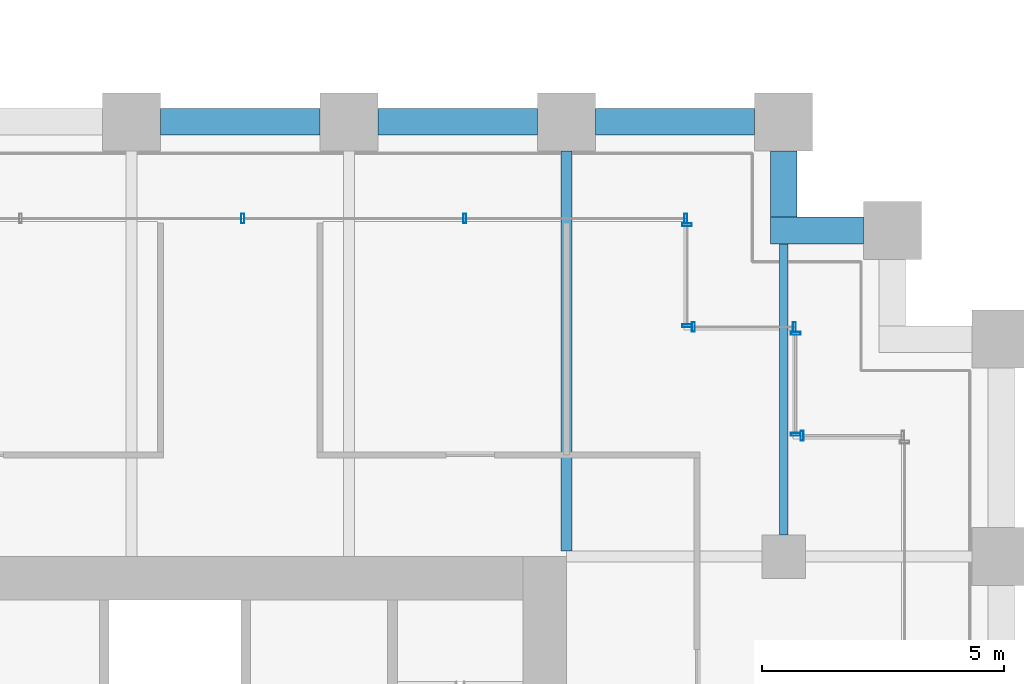
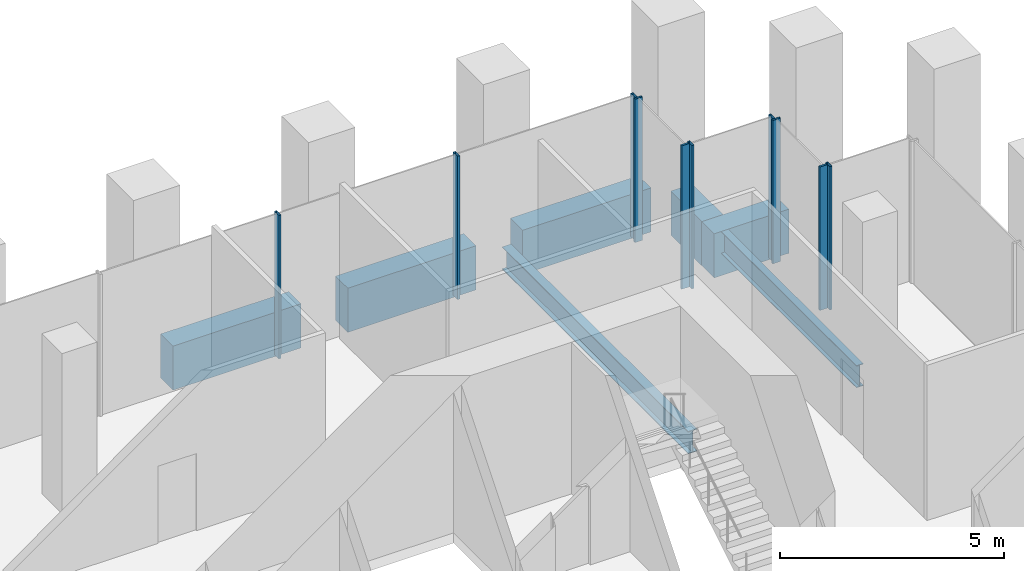
# One storey, part 25 of 36: 10 members, 7 beams, 5 elements without a shape of their own.
"""IFC4 building model written with IfcOpenShell, lengths in metres."""

from ifc_helpers import new_model, si_unit, direction, frame, origin, origin_2d, place, context, subcontext, project, spatial, rectangle, hollow_rectangle, i_section, extrude, material, material_profile, profile_set, type_object, element, aggregate, save


model = new_model("IFC4")

# Units and contexts
model_context = context("Model", 3, precision=1e-05, world=origin(), true_north=direction((0.0, 1.0)))
body_context = subcontext(model_context, "Body", "Model", "MODEL_VIEW")
ifc_project = project(units=[si_unit("LENGTHUNIT", "METRE"), si_unit("AREAUNIT", "SQUARE_METRE"), si_unit("VOLUMEUNIT", "CUBIC_METRE"), si_unit("PLANEANGLEUNIT", "RADIAN"), si_unit("MASSUNIT", "GRAM", prefix="KILO")], contexts=[model_context])

# Site, building, storey
site_placement = place(None, origin())
site = spatial("IfcSite", under=ifc_project, at=site_placement, CompositionType="ELEMENT")
building_placement = place(site_placement, origin())
building = spatial("IfcBuilding", under=site, at=building_placement, Name="Altepetl Exchange Towers", CompositionType="ELEMENT")
storey_placement = place(building_placement, frame((0.0, 0.0, 38.60009765625)))
storey = spatial("IfcBuildingStorey", under=building, at=storey_placement, Name="L08", CompositionType="ELEMENT", Elevation=38.60009765625)

# Beams
ifc_material_1 = material(Name="Steel S355", Category="steel")
ifc_material_profile_1 = material_profile(ifc_material_1, i_section(OverallWidth=0.178955078125, OverallDepth=0.60302734375, WebThickness=0.010986328125, FlangeThickness=0.014892578125, at=origin_2d()), Name="W24X62")
ifc_profile_set_1 = profile_set([ifc_material_profile_1], Name="Steel S355")
beam_type_1 = type_object("IfcBeamType", Name="Floor beam W24X62", PredefinedType="BEAM", material=ifc_profile_set_1)
beam_1_placement = place(storey_placement, frame((121.5, 49.949951171875, -0.4765625), z_axis=(0.0, 1.0, 0.0), x_axis=(-1.0, 0.0, 0.0)))
element("IfcBeam", 1, at=beam_1_placement, inside=storey, type_object=beam_type_1, Name="bm:B:L08:003", PredefinedType="BEAM", context=body_context, shape_type="SweptSolid", body=[
    extrude(i_section(OverallWidth=0.178955078125, OverallDepth=0.60302734375, WebThickness=0.010986328125, FlangeThickness=0.014892578125, at=origin_2d()), origin(), (0.0, 0.0, 1.0), 6.025146484375),
])
ifc_material_profile_2 = material_profile(ifc_material_1, i_section(OverallWidth=0.22900390625, OverallDepth=0.612060546875, WebThickness=0.011962890625, FlangeThickness=0.01953125, at=origin_2d()), Name="W24X84")
ifc_profile_set_2 = profile_set([ifc_material_profile_2], Name="Steel S355")
beam_type_2 = type_object("IfcBeamType", Name="Floor beam W24X84", PredefinedType="BEAM", material=ifc_profile_set_2)
beam_2_placement = place(storey_placement, frame((117.0, 49.614013671875, -0.481201171875), z_axis=(0.0, 1.0, 0.0), x_axis=(-1.0, 0.0, 0.0)))
element("IfcBeam", 2, at=beam_2_placement, inside=storey, type_object=beam_type_2, Name="bm:B:L08:002", PredefinedType="BEAM", context=body_context, shape_type="SweptSolid", body=[
    extrude(i_section(OverallWidth=0.22900390625, OverallDepth=0.612060546875, WebThickness=0.011962890625, FlangeThickness=0.01953125, at=origin_2d()), origin(), (0.0, 0.0, 1.0), 8.285888671875),
])

# Curtain wall, member
ifc_material_2 = material(Name="Aluminium 6063-T6 glazing", Category="aluminium")
curtain_wall_type = type_object("IfcCurtainWallType", Name="Trading floor glazing system", PredefinedType="NOTDEFINED", material=ifc_material_2)
curtain_wall_1_placement = place(storey_placement, origin())
curtain_wall_1 = element("IfcCurtainWall", 3, at=curtain_wall_1_placement, inside=storey, type_object=curtain_wall_type, Name="CW2 run", PredefinedType="NOTDEFINED")
ifc_material_3 = material(Name="Aluminium 6063-T6", Category="aluminium")
ifc_material_profile_3 = material_profile(ifc_material_3, hollow_rectangle(XDim=0.06005859375, YDim=0.199951171875, WallThickness=0.0029296875, at=origin_2d()), Name="Mullion 60x200 aluminium")
ifc_profile_set_3 = profile_set([ifc_material_profile_3], Name="Aluminium 6063-T6")
member_type = type_object("IfcMemberType", Name="Mullion 60x200 aluminium", PredefinedType="MULLION", material=ifc_profile_set_3)
member_1_placement = place(storey_placement, frame((121.8798828125, 52.0, 0.0), z_axis=(0.0, 0.0, 1.0), x_axis=(-1.0, 0.0, 0.0)))
member_1 = element("IfcMember", 4, at=member_1_placement, type_object=member_type, Name="MU2 mullion", PredefinedType="MULLION", context=body_context, shape_type="SweptSolid", body=[
    extrude(hollow_rectangle(XDim=0.06005859375, YDim=0.199951171875, WallThickness=0.0029296875, at=origin_2d()), origin(), (0.0, 0.0, 1.0), 3.89990234375),
])
aggregate(curtain_wall_1, [member_1])

# Curtain wall, members
curtain_wall_2_placement = place(storey_placement, origin())
curtain_wall_2 = element("IfcCurtainWall", 5, at=curtain_wall_2_placement, inside=storey, type_object=curtain_wall_type, Name="CW2 run", PredefinedType="NOTDEFINED")
member_2_placement = place(storey_placement, frame((121.75, 52.030029296875, 0.0), z_axis=(0.0, 0.0, 1.0), x_axis=(0.0, 1.0, 0.0)))
member_2 = element("IfcMember", 6, at=member_2_placement, type_object=member_type, Name="MU2 mullion", PredefinedType="MULLION", context=body_context, shape_type="SweptSolid", body=[
    extrude(hollow_rectangle(XDim=0.06005859375, YDim=0.199951171875, WallThickness=0.0029296875, at=origin_2d()), origin(), (0.0, 0.0, 1.0), 3.89990234375),
])
member_3_placement = place(storey_placement, frame((121.75, 54.1201171875, 0.0), z_axis=(0.0, 0.0, 1.0), x_axis=(0.0, 1.0, 0.0)))
member_3 = element("IfcMember", 7, at=member_3_placement, type_object=member_type, Name="MU2 mullion", PredefinedType="MULLION", context=body_context, shape_type="SweptSolid", body=[
    extrude(hollow_rectangle(XDim=0.06005859375, YDim=0.199951171875, WallThickness=0.0029296875, at=origin_2d()), origin(), (0.0, 0.0, 1.0), 3.89990234375),
])
aggregate(curtain_wall_2, [member_2, member_3])

curtain_wall_3_placement = place(storey_placement, origin())
curtain_wall_3 = element("IfcCurtainWall", 8, at=curtain_wall_3_placement, inside=storey, type_object=curtain_wall_type, Name="CW2 run", PredefinedType="NOTDEFINED")
member_4_placement = place(storey_placement, frame((121.719970703125, 54.25, 0.0), z_axis=(0.0, 0.0, 1.0), x_axis=(-1.0, 0.0, 0.0)))
member_4 = element("IfcMember", 9, at=member_4_placement, type_object=member_type, Name="MU2 mullion", PredefinedType="MULLION", context=body_context, shape_type="SweptSolid", body=[
    extrude(hollow_rectangle(XDim=0.06005859375, YDim=0.199951171875, WallThickness=0.0029296875, at=origin_2d()), origin(), (0.0, 0.0, 1.0), 3.89990234375),
])
member_5_placement = place(storey_placement, frame((119.6298828125, 54.25, 0.0), z_axis=(0.0, 0.0, 1.0), x_axis=(-1.0, 0.0, 0.0)))
member_5 = element("IfcMember", 10, at=member_5_placement, type_object=member_type, Name="MU2 mullion", PredefinedType="MULLION", context=body_context, shape_type="SweptSolid", body=[
    extrude(hollow_rectangle(XDim=0.06005859375, YDim=0.199951171875, WallThickness=0.0029296875, at=origin_2d()), origin(), (0.0, 0.0, 1.0), 3.89990234375),
])
aggregate(curtain_wall_3, [member_4, member_5])

curtain_wall_4_placement = place(storey_placement, origin())
curtain_wall_4 = element("IfcCurtainWall", 11, at=curtain_wall_4_placement, inside=storey, type_object=curtain_wall_type, Name="CW2 run", PredefinedType="NOTDEFINED")
member_6_placement = place(storey_placement, frame((119.5, 54.280029296875, 0.0), z_axis=(0.0, 0.0, 1.0), x_axis=(0.0, 1.0, 0.0)))
member_6 = element("IfcMember", 12, at=member_6_placement, type_object=member_type, Name="MU2 mullion", PredefinedType="MULLION", context=body_context, shape_type="SweptSolid", body=[
    extrude(hollow_rectangle(XDim=0.06005859375, YDim=0.199951171875, WallThickness=0.0029296875, at=origin_2d()), origin(), (0.0, 0.0, 1.0), 3.89990234375),
])
member_7_placement = place(storey_placement, frame((119.5, 56.3701171875, 0.0), z_axis=(0.0, 0.0, 1.0), x_axis=(0.0, 1.0, 0.0)))
member_7 = element("IfcMember", 13, at=member_7_placement, type_object=member_type, Name="MU2 mullion", PredefinedType="MULLION", context=body_context, shape_type="SweptSolid", body=[
    extrude(hollow_rectangle(XDim=0.06005859375, YDim=0.199951171875, WallThickness=0.0029296875, at=origin_2d()), origin(), (0.0, 0.0, 1.0), 3.89990234375),
])
aggregate(curtain_wall_4, [member_6, member_7])

curtain_wall_5_placement = place(storey_placement, origin())
curtain_wall_5 = element("IfcCurtainWall", 14, at=curtain_wall_5_placement, inside=storey, type_object=curtain_wall_type, Name="CW2 run", PredefinedType="NOTDEFINED")
member_8_placement = place(storey_placement, frame((119.469970703125, 56.5, 0.0), z_axis=(0.0, 0.0, 1.0), x_axis=(-1.0, 0.0, 0.0)))
member_8 = element("IfcMember", 15, at=member_8_placement, type_object=member_type, Name="MU2 mullion", PredefinedType="MULLION", context=body_context, shape_type="SweptSolid", body=[
    extrude(hollow_rectangle(XDim=0.06005859375, YDim=0.199951171875, WallThickness=0.0029296875, at=origin_2d()), origin(), (0.0, 0.0, 1.0), 3.89990234375),
])
member_9_placement = place(storey_placement, frame((114.89990234375, 56.5, 0.0), z_axis=(0.0, 0.0, 1.0), x_axis=(-1.0, 0.0, 0.0)))
member_9 = element("IfcMember", 16, at=member_9_placement, type_object=member_type, Name="MU2 mullion", PredefinedType="MULLION", context=body_context, shape_type="SweptSolid", body=[
    extrude(hollow_rectangle(XDim=0.06005859375, YDim=0.199951171875, WallThickness=0.0029296875, at=origin_2d()), origin(), (0.0, 0.0, 1.0), 3.89990234375),
])
member_10_placement = place(storey_placement, frame((110.300048828125, 56.5, 0.0), z_axis=(0.0, 0.0, 1.0), x_axis=(-1.0, 0.0, 0.0)))
member_10 = element("IfcMember", 17, at=member_10_placement, type_object=member_type, Name="MU2 mullion", PredefinedType="MULLION", context=body_context, shape_type="SweptSolid", body=[
    extrude(hollow_rectangle(XDim=0.06005859375, YDim=0.199951171875, WallThickness=0.0029296875, at=origin_2d()), origin(), (0.0, 0.0, 1.0), 3.89990234375),
])
aggregate(curtain_wall_5, [member_8, member_9, member_10])

# Beams
ifc_material_4 = material(Name="Concrete C50/60 precast with cantera amarilla facing", Category="concrete")
ifc_material_profile_4 = material_profile(ifc_material_4, rectangle(XDim=0.550048828125, YDim=1.199951171875, at=origin_2d()), Name="550 x 1200")
ifc_profile_set_4 = profile_set([ifc_material_profile_4], Name="Concrete C50/60 precast with cantera amarilla facing")
beam_type_3 = type_object("IfcBeamType", Name="Spandrel beam 550x1200 cantera amarilla", PredefinedType="SPANDREL", material=ifc_profile_set_4)
beam_3_placement = place(storey_placement, frame((123.14990234375, 56.25, -0.775146484375), z_axis=(-1.0, 0.0, 0.0), x_axis=(0.0, -1.0, 0.0)))
element("IfcBeam", 18, at=beam_3_placement, inside=storey, type_object=beam_type_3, Name="sp:B:L08:016", PredefinedType="SPANDREL", context=body_context, shape_type="SweptSolid", body=[
    extrude(rectangle(XDim=0.550048828125, YDim=1.199951171875, at=origin_2d()), origin(), (0.0, 0.0, 1.0), 1.9248046875),
])
beam_4_placement = place(storey_placement, frame((121.5, 56.52490234375, -0.775146484375), z_axis=(0.0, 1.0, 0.0), x_axis=(-1.0, 0.0, 0.0)))
element("IfcBeam", 19, at=beam_4_placement, inside=storey, type_object=beam_type_3, Name="sp:B:L08:017", PredefinedType="SPANDREL", context=body_context, shape_type="SweptSolid", body=[
    extrude(rectangle(XDim=0.550048828125, YDim=1.199951171875, at=origin_2d()), origin(), (0.0, 0.0, 1.0), 1.375),
])
for number, where, z_axis, x_axis, name in (
    (20, (120.89990234375, 58.5, -0.775146484375), (-1.0, 0.0, 0.0), (0.0, -1.0, 0.0), "sp:B:L08:018"),
    (21, (116.39990234375, 58.5, -0.775146484375), (-1.0, 0.0, 0.0), (0.0, -1.0, 0.0), "sp:B:L08:019"),
    (22, (111.89990234375, 58.5, -0.775146484375), (-1.0, 0.0, 0.0), (0.0, -1.0, 0.0), "sp:B:L08:020"),
):
    element("IfcBeam", number, at=place(storey_placement, frame(where, z_axis=z_axis, x_axis=x_axis)), inside=storey, type_object=beam_type_3, Name=name, PredefinedType="SPANDREL", context=body_context, shape_type="SweptSolid", body=[
        extrude(rectangle(XDim=0.550048828125, YDim=1.199951171875, at=origin_2d()), origin(), (0.0, 0.0, 1.0), 3.2998046875),
    ])

save(model, "model.ifc")
